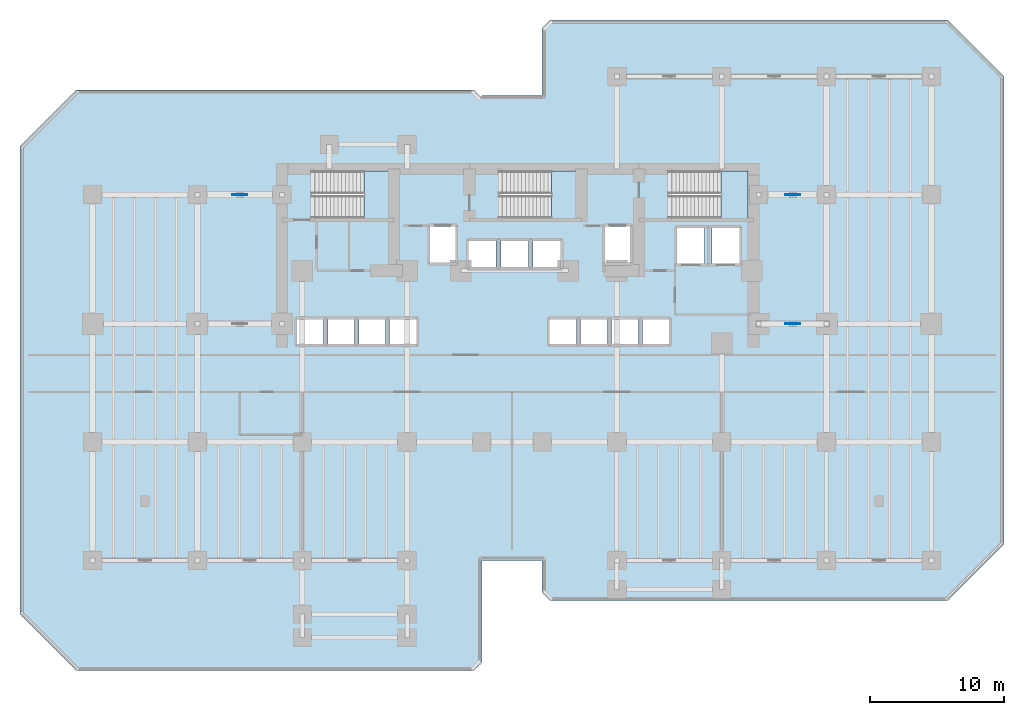
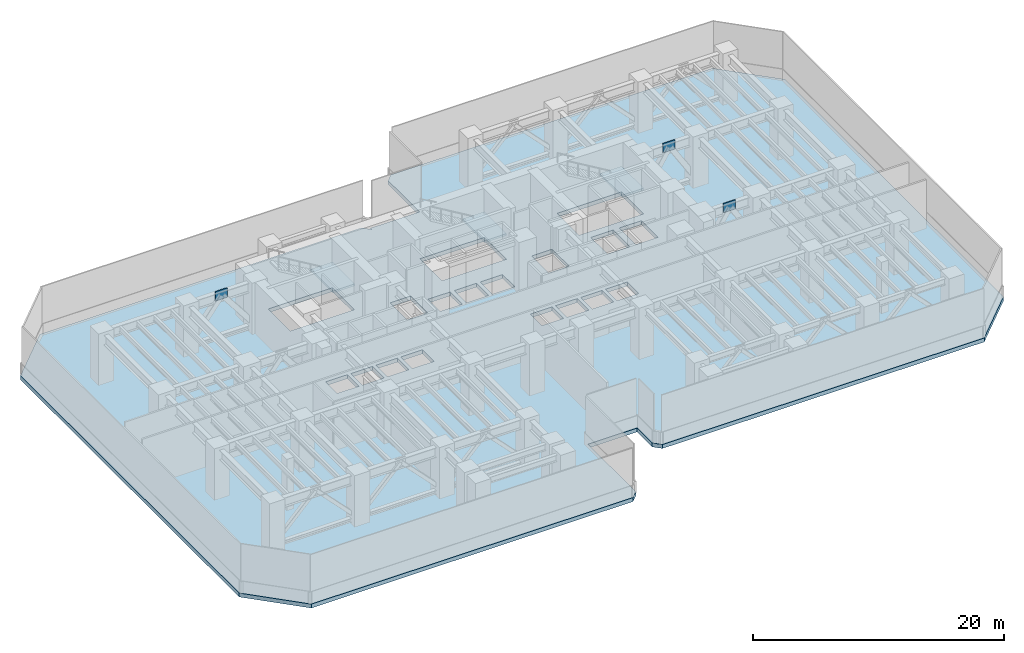
# One storey, part 4 of 13: 4 slabs, 3 plates, 3 elements without a shape of their own.
"""IFC4 building model written with IfcOpenShell, lengths in metres."""

from ifc_helpers import new_model, si_unit, direction, frame, origin, origin_2d, place, context, subcontext, project, spatial, polyline, rectangle, outline, extrude, material, layer, layer_set, type_object, element, aggregate, save


model = new_model("IFC4")

# Units and contexts
model_context = context("Model", 3, precision=1e-05, world=origin(), true_north=direction((0.0, 1.0)))
body_context = subcontext(model_context, "Body", "Model", "MODEL_VIEW")
ifc_project = project(units=[si_unit("LENGTHUNIT", "METRE"), si_unit("AREAUNIT", "SQUARE_METRE"), si_unit("VOLUMEUNIT", "CUBIC_METRE"), si_unit("PLANEANGLEUNIT", "RADIAN"), si_unit("MASSUNIT", "GRAM", prefix="KILO")], contexts=[model_context])

# Site, building, storey
site_placement = place(None, origin())
site = spatial("IfcSite", under=ifc_project, at=site_placement, CompositionType="ELEMENT")
building_placement = place(site_placement, origin())
building = spatial("IfcBuilding", under=site, at=building_placement, Name="Kestravale Grand Hotel", CompositionType="ELEMENT")
storey_placement = place(building_placement, frame((0.0, 0.0, 75.39990234375)))
storey = spatial("IfcBuildingStorey", under=building, at=storey_placement, Name="L18", CompositionType="ELEMENT", Elevation=75.39990234375)

# Plates
ifc_material_1 = material(Name="Steel ASTM A572 Grade 50", Category="steel")
ifc_layer_1 = layer(ifc_material_1, 0.06005859375)
ifc_layer_set_1 = layer_set([ifc_layer_1], Name="PL-GUS-60")
plate_type = type_object("IfcPlateType", Name="PL-GUS-60", PredefinedType="USERDEFINED", material=ifc_layer_set_1)
for number, where, z_axis, x_axis, name in (
    (1, (59.875, 28.800048828125, 3.91015625), (0.0, 0.0, 1.0), (1.0, 0.0, 0.0), "L18 outrigger gusset plate E-E"),
    (2, (18.75, 38.39990234375, 3.91015625), (0.0, 0.0, 1.0), (1.0, 0.0, 0.0), "L18 outrigger gusset plate W-F"),
    (3, (59.875, 38.39990234375, 3.91015625), (0.0, 0.0, 1.0), (1.0, 0.0, 0.0), "L18 outrigger gusset plate E-F"),
):
    element("IfcPlate", number, at=place(storey_placement, frame(where, z_axis=z_axis, x_axis=x_axis)), inside=storey, type_object=plate_type, Name=name, ObjectType="GUSSET PLATE", PredefinedType="USERDEFINED", context=body_context, shape_type="SweptSolid", body=[
        extrude(rectangle(XDim=1.10009765625, YDim=0.06005859375, at=origin_2d()), origin(), (0.0, 0.0, 1.0), 0.89990234375),
    ])

# Stair, slab
ifc_material_2 = material(Name="Concrete f'c 45 MPa", Category="concrete")
stair_type = type_object("IfcStairType", Name="ST-CORE-500", PredefinedType="HALF_TURN_STAIR", material=ifc_material_2)
stair_1_placement = place(storey_placement, origin())
stair_1 = element("IfcStair", 4, at=stair_1_placement, inside=storey, type_object=stair_type, Name="L18 ST-1", PredefinedType="HALF_TURN_STAIR")
ifc_material_3 = material(Name="Concrete f'c 45 MPa", Category="concrete")
ifc_layer_2 = layer(ifc_material_3, 0.199951171875)
ifc_layer_set_2 = layer_set([ifc_layer_2], Name="SLB-ST-LND200")
slab_type_1 = type_object("IfcSlabType", Name="SLB-ST-LND200", PredefinedType="LANDING", material=ifc_layer_set_2)
slab_1_placement = place(storey_placement, frame((0.0, 0.0, 2.300048828125)))
slab_1 = element("IfcSlab", 5, at=slab_1_placement, type_object=slab_type_1, Name="ST-1 landing 1", PredefinedType="LANDING", context=body_context, shape_type="SweptSolid", body=[
    extrude(outline(polyline([(28.0, 36.64990234375), (30.0, 36.64990234375), (30.0, 40.159912109375), (28.0, 40.159912109375), (28.0, 36.64990234375)])), origin(), (0.0, 0.0, 1.0), 0.199951171875),
])
aggregate(stair_1, [slab_1])

stair_2_placement = place(storey_placement, origin())
stair_2 = element("IfcStair", 6, at=stair_2_placement, inside=storey, type_object=stair_type, Name="L18 ST-2", PredefinedType="HALF_TURN_STAIR")
slab_2_placement = place(storey_placement, frame((0.0, 0.0, 2.300048828125)))
slab_2 = element("IfcSlab", 7, at=slab_2_placement, type_object=slab_type_1, Name="ST-2 landing 1", PredefinedType="LANDING", context=body_context, shape_type="SweptSolid", body=[
    extrude(outline(polyline([(41.949951171875, 36.64990234375), (43.949951171875, 36.64990234375), (43.949951171875, 40.159912109375), (41.949951171875, 40.159912109375), (41.949951171875, 36.64990234375)])), origin(), (0.0, 0.0, 1.0), 0.199951171875),
])
aggregate(stair_2, [slab_2])

stair_3_placement = place(storey_placement, origin())
stair_3 = element("IfcStair", 8, at=stair_3_placement, inside=storey, type_object=stair_type, Name="L18 ST-3", PredefinedType="HALF_TURN_STAIR")
slab_3_placement = place(storey_placement, frame((0.0, 0.0, 2.300048828125)))
slab_3 = element("IfcSlab", 9, at=slab_3_placement, type_object=slab_type_1, Name="ST-3 landing 1", PredefinedType="LANDING", context=body_context, shape_type="SweptSolid", body=[
    extrude(outline(polyline([(54.550048828125, 36.64990234375), (56.550048828125, 36.64990234375), (56.550048828125, 40.159912109375), (54.550048828125, 40.159912109375), (54.550048828125, 36.64990234375)])), origin(), (0.0, 0.0, 1.0), 0.199951171875),
])
aggregate(stair_3, [slab_3])

# Slab
ifc_material_4 = material(Name="Concrete f'c 45 MPa", Category="concrete")
ifc_layer_3 = layer(ifc_material_4, 0.3798828125)
ifc_layer_set_3 = layer_set([ifc_layer_3], Name="SS-TRN-380")
slab_type_2 = type_object("IfcSlabType", Name="SS-TRN-380", PredefinedType="FLOOR", material=ifc_layer_set_3)
slab_4_placement = place(storey_placement, frame((0.0, 0.0, -0.3798828125)))
element("IfcSlab", 10, at=slab_4_placement, inside=storey, type_object=slab_type_2, Name="L18 structural floor slab", PredefinedType="FLOOR", context=body_context, shape_type="SweptSolid", body=[
    extrude(outline(polyline([(6.60009765625, 3.0), (36.14990234375, 3.0), (36.75, 3.60009765625), (36.75, 11.199951171875), (41.25, 11.199951171875), (41.25, 8.800048828125), (41.85009765625, 8.199951171875), (71.39990234375, 8.199951171875), (75.60009765625, 12.39990234375), (75.60009765625, 47.199951171875), (71.39990234375, 51.39990234375), (41.85009765625, 51.39990234375), (41.25, 50.800048828125), (41.25, 45.800048828125), (36.75, 45.800048828125), (36.75, 45.60009765625), (36.14990234375, 46.199951171875), (6.60009765625, 46.199951171875), (2.39990234375, 42.0), (2.39990234375, 7.199951171875), (6.60009765625, 3.0)]), holes=[polyline([(24.080078125, 36.64990234375), (30.0, 36.64990234375), (30.0, 40.159912109375), (24.080078125, 40.159912109375), (24.080078125, 36.64990234375)]), polyline([(38.030029296875, 36.64990234375), (43.949951171875, 36.64990234375), (43.949951171875, 40.159912109375), (38.030029296875, 40.159912109375), (38.030029296875, 36.64990234375)]), polyline([(50.6298828125, 36.64990234375), (56.550048828125, 36.64990234375), (56.550048828125, 40.159912109375), (50.6298828125, 40.159912109375), (50.6298828125, 36.64990234375)]), polyline([(23.0048828125, 27.280029296875), (24.9951171875, 27.280029296875), (24.9951171875, 29.1201171875), (23.0048828125, 29.1201171875), (23.0048828125, 27.280029296875)]), polyline([(25.304931640625, 27.280029296875), (27.294921875, 27.280029296875), (27.294921875, 29.1201171875), (25.304931640625, 29.1201171875), (25.304931640625, 27.280029296875)]), polyline([(27.60498046875, 27.280029296875), (29.594970703125, 27.280029296875), (29.594970703125, 29.1201171875), (27.60498046875, 29.1201171875), (27.60498046875, 27.280029296875)]), polyline([(29.905029296875, 27.280029296875), (31.89501953125, 27.280029296875), (31.89501953125, 29.1201171875), (29.905029296875, 29.1201171875), (29.905029296875, 27.280029296875)]), polyline([(41.804931640625, 27.280029296875), (43.794921875, 27.280029296875), (43.794921875, 29.1201171875), (41.804931640625, 29.1201171875), (41.804931640625, 27.280029296875)]), polyline([(44.10498046875, 27.280029296875), (46.094970703125, 27.280029296875), (46.094970703125, 29.1201171875), (44.10498046875, 29.1201171875), (44.10498046875, 27.280029296875)]), polyline([(46.405029296875, 27.280029296875), (48.39501953125, 27.280029296875), (48.39501953125, 29.1201171875), (46.405029296875, 29.1201171875), (46.405029296875, 27.280029296875)]), polyline([(48.705078125, 27.280029296875), (50.695068359375, 27.280029296875), (50.695068359375, 29.1201171875), (48.705078125, 29.1201171875), (48.705078125, 27.280029296875)]), polyline([(35.780029296875, 33.030029296875), (37.820068359375, 33.030029296875), (37.820068359375, 34.969970703125), (35.780029296875, 34.969970703125), (35.780029296875, 33.030029296875)]), polyline([(38.179931640625, 33.030029296875), (40.219970703125, 33.030029296875), (40.219970703125, 34.969970703125), (38.179931640625, 34.969970703125), (38.179931640625, 33.030029296875)]), polyline([(40.580078125, 33.030029296875), (42.6201171875, 33.030029296875), (42.6201171875, 34.969970703125), (40.580078125, 34.969970703125), (40.580078125, 33.030029296875)]), polyline([(32.905029296875, 33.35498046875), (34.794921875, 33.35498046875), (34.794921875, 36.044921875), (32.905029296875, 36.044921875), (32.905029296875, 33.35498046875)]), polyline([(45.905029296875, 33.35498046875), (47.794921875, 33.35498046875), (47.794921875, 36.044921875), (45.905029296875, 36.044921875), (45.905029296875, 33.35498046875)]), polyline([(51.280029296875, 33.280029296875), (53.320068359375, 33.280029296875), (53.320068359375, 35.919921875), (51.280029296875, 35.919921875), (51.280029296875, 33.280029296875)]), polyline([(53.8798828125, 33.280029296875), (55.919921875, 33.280029296875), (55.919921875, 35.919921875), (53.8798828125, 35.919921875), (53.8798828125, 33.280029296875)])]), origin(), (0.0, 0.0, 1.0), 0.3798828125),
])

save(model, "model.ifc")
